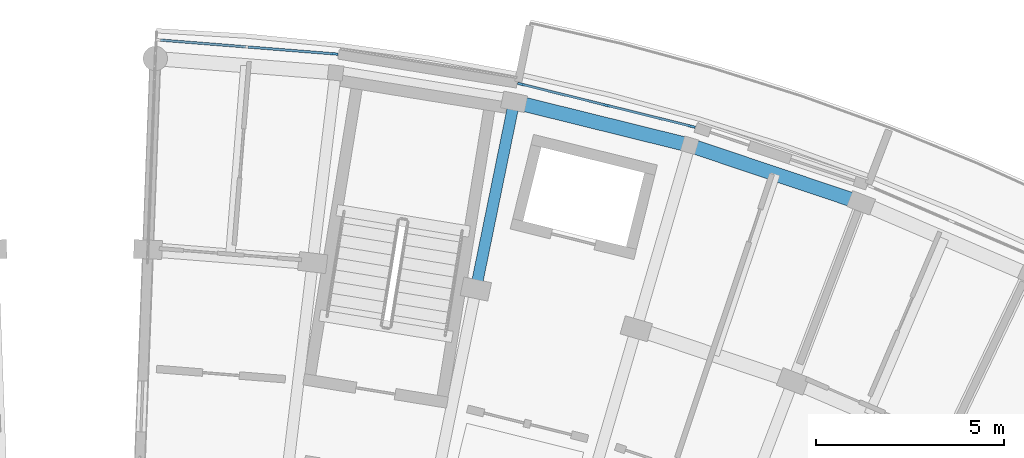
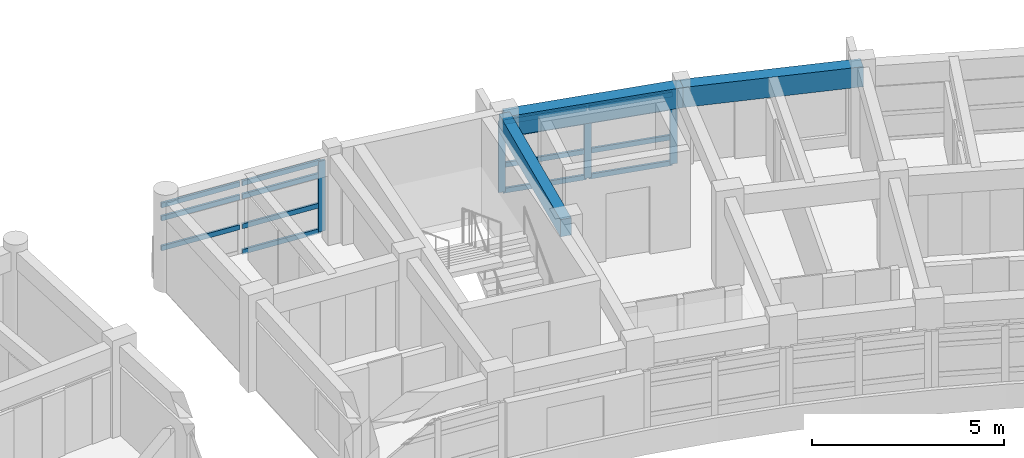
# One storey, part 14 of 40: 19 members, 3 beams, 2 elements without a shape of their own.
"""IFC4 building model written with IfcOpenShell, lengths in metres."""

from ifc_helpers import new_model, si_unit, direction, frame, origin, origin_2d, place, context, subcontext, project, spatial, rectangle, extrude, material, material_profile, profile_set, type_object, element, aggregate, save


model = new_model("IFC4")

# Units and contexts
model_context = context("Model", 3, precision=1e-05, world=origin(), true_north=direction((0.0, 1.0)))
body_context = subcontext(model_context, "Body", "Model", "MODEL_VIEW")
ifc_project = project(units=[si_unit("LENGTHUNIT", "METRE"), si_unit("AREAUNIT", "SQUARE_METRE"), si_unit("VOLUMEUNIT", "CUBIC_METRE"), si_unit("PLANEANGLEUNIT", "RADIAN"), si_unit("MASSUNIT", "GRAM", prefix="KILO")], contexts=[model_context])

# Site, building, storey
site_placement = place(None, origin())
site = spatial("IfcSite", under=ifc_project, at=site_placement, CompositionType="ELEMENT")
building_placement = place(site_placement, origin())
building = spatial("IfcBuilding", under=site, at=building_placement, Name="Zimvara Arc Housing Community", CompositionType="ELEMENT")
storey_placement = place(building_placement, frame((0.0, 0.0, 32.89990234375)))
storey = spatial("IfcBuildingStorey", under=building, at=storey_placement, Name="L10", CompositionType="ELEMENT", Elevation=32.89990234375)

# Beams
ifc_material_1 = material(Name="Concrete C40/50", Category="concrete")
ifc_material_profile_1 = material_profile(ifc_material_1, rectangle(XDim=0.300048828125, YDim=0.550048828125, at=origin_2d()), Name="RC 300x550")
ifc_profile_set_1 = profile_set([ifc_material_profile_1], Name="Concrete C40/50")
beam_type_1 = type_object("IfcBeamType", Name="BM-RC-300x550", PredefinedType="BEAM", material=ifc_profile_set_1)
beam_1_placement = place(storey_placement, frame((55.78125, 97.208740234375, 2.585205078125), z_axis=(0.200411962389, 0.97971171542, 0.0), x_axis=(-0.97971171542, 0.200411962389, 0.0)))
element("IfcBeam", 1, at=beam_1_placement, inside=storey, type_object=beam_type_1, Name="bm:blkB:L10:rad:b2:r23", PredefinedType="BEAM", context=body_context, shape_type="SweptSolid", body=[
    extrude(rectangle(XDim=0.300048828125, YDim=0.550048828125, at=origin_2d()), origin(), (0.0, 0.0, 1.0), 5.079833984375),
])
ifc_material_2 = material(Name="Concrete C40/50", Category="concrete")
ifc_material_profile_2 = material_profile(ifc_material_2, rectangle(XDim=0.3798828125, YDim=0.639892578125, at=origin_2d()), Name="RC 380x640")
ifc_profile_set_2 = profile_set([ifc_material_profile_2], Name="Concrete C40/50")
beam_type_2 = type_object("IfcBeamType", Name="BM-RC-380x640", PredefinedType="BEAM", material=ifc_profile_set_2)
beam_2_placement = place(storey_placement, frame((56.79931640625, 102.185546875, 2.5400390625), z_axis=(0.970716235341, -0.240229037474, 0.0), x_axis=(0.240229037474, 0.970716235341, 0.0)))
element("IfcBeam", 2, at=beam_2_placement, inside=storey, type_object=beam_type_2, Name="bm:blkB:L10:chord:r3:b2", PredefinedType="BEAM", context=body_context, shape_type="SweptSolid", body=[
    extrude(rectangle(XDim=0.3798828125, YDim=0.639892578125, at=origin_2d()), origin(), (0.0, 0.0, 1.0), 4.80810546875),
])
beam_3_placement = place(storey_placement, frame((61.466552734375, 101.030517578125, 2.5400390625), z_axis=(0.947877948153, -0.31863363822, 0.0), x_axis=(0.31863363822, 0.947877948153, 0.0)))
element("IfcBeam", 3, at=beam_3_placement, inside=storey, type_object=beam_type_2, Name="bm:blkB:L10:chord:r3:b3", PredefinedType="BEAM", context=body_context, shape_type="SweptSolid", body=[
    extrude(rectangle(XDim=0.3798828125, YDim=0.639892578125, at=origin_2d()), origin(), (0.0, 0.0, 1.0), 4.807861328125),
])

# Curtain wall, member
ifc_material_3 = material(Name="Anodised Aluminium AW-6063", Category="aluminium")
curtain_wall_type_1 = type_object("IfcCurtainWallType", Name="CW-SYS-07", PredefinedType="USERDEFINED", material=ifc_material_3)
curtain_wall_1_placement = place(storey_placement, origin())
curtain_wall_1 = element("IfcCurtainWall", 4, at=curtain_wall_1_placement, inside=storey, type_object=curtain_wall_type_1, Name="cw:blkB:L10:out:b0", ObjectType="CURTAIN WALL", PredefinedType="USERDEFINED")
ifc_material_4 = material(Name="Anodised Aluminium AW-6063", Category="aluminium")
ifc_material_profile_3 = material_profile(ifc_material_4, rectangle(XDim=0.06494140625, YDim=0.195068359375, at=origin_2d()), Name="ALU 65x195")
ifc_profile_set_3 = profile_set([ifc_material_profile_3], Name="Anodised Aluminium AW-6063")
member_type_1 = type_object("IfcMemberType", Name="CWM-65x180", PredefinedType="MULLION", material=ifc_profile_set_3)
member_1_placement = place(storey_placement, frame((52.02099609375, 103.459716796875, 0.0), z_axis=(0.0, 0.0, 1.0), x_axis=(0.079153759607, 0.996862418963, 0.0)))
member_1 = element("IfcMember", 5, at=member_1_placement, type_object=member_type_1, Name="CW07 mullion 3", PredefinedType="MULLION", context=body_context, shape_type="SweptSolid", body=[
    extrude(rectangle(XDim=0.06494140625, YDim=0.195068359375, at=origin_2d()), origin(), (0.0, 0.0, 1.0), 2.25),
])

# Curtain wall, members
ifc_material_5 = material(Name="Anodised Aluminium AW-6063", Category="aluminium")
curtain_wall_type_2 = type_object("IfcCurtainWallType", Name="CW-SYS-01", PredefinedType="USERDEFINED", material=ifc_material_5)
curtain_wall_2_placement = place(storey_placement, origin())
curtain_wall_2 = element("IfcCurtainWall", 6, at=curtain_wall_2_placement, inside=storey, type_object=curtain_wall_type_2, Name="cw:blkB:L10:out:b2", ObjectType="CURTAIN WALL", PredefinedType="USERDEFINED")
member_2_placement = place(storey_placement, frame((56.9892578125, 102.6533203125, 0.0), z_axis=(0.0, 0.0, 1.0), x_axis=(0.240229711131, 0.970716068627, 0.0)))
member_2 = element("IfcMember", 7, at=member_2_placement, type_object=member_type_1, Name="CW01 mullion 1", PredefinedType="MULLION", context=body_context, shape_type="SweptSolid", body=[
    extrude(rectangle(XDim=0.06494140625, YDim=0.195068359375, at=origin_2d()), origin(), (0.0, 0.0, 1.0), 2.25),
])
member_3_placement = place(storey_placement, frame((59.2529296875, 102.093017578125, 0.0), z_axis=(0.0, 0.0, 1.0), x_axis=(0.240229711131, 0.970716068627, 0.0)))
member_3 = element("IfcMember", 8, at=member_3_placement, type_object=member_type_1, Name="CW01 mullion 2", PredefinedType="MULLION", context=body_context, shape_type="SweptSolid", body=[
    extrude(rectangle(XDim=0.06494140625, YDim=0.195068359375, at=origin_2d()), origin(), (0.0, 0.0, 1.0), 2.25),
])
member_4_placement = place(storey_placement, frame((61.5166015625, 101.532958984375, 0.0), z_axis=(0.0, 0.0, 1.0), x_axis=(0.240229711131, 0.970716068627, 0.0)))
member_4 = element("IfcMember", 9, at=member_4_placement, type_object=member_type_1, Name="CW01 mullion 3", PredefinedType="MULLION", context=body_context, shape_type="SweptSolid", body=[
    extrude(rectangle(XDim=0.06494140625, YDim=0.195068359375, at=origin_2d()), origin(), (0.0, 0.0, 1.0), 2.25),
])

# Member
ifc_material_6 = material(Name="Anodised Aluminium AW-6063", Category="aluminium")
ifc_material_profile_4 = material_profile(ifc_material_6, rectangle(XDim=0.06494140625, YDim=0.155029296875, at=origin_2d()), Name="ALU 65x155")
ifc_profile_set_4 = profile_set([ifc_material_profile_4], Name="Anodised Aluminium AW-6063")
member_type_2 = type_object("IfcMemberType", Name="CWT-65x140", PredefinedType="USERDEFINED", material=ifc_profile_set_4)
member_5_placement = place(storey_placement, frame((47.404052734375, 103.826416015625, 0.85009765625), z_axis=(0.996862021022, -0.079158771116, 0.0), x_axis=(0.079158771116, 0.996862021022, 0.0)))
member_5 = element("IfcMember", 10, at=member_5_placement, type_object=member_type_2, Name="CW07 transom 1.2", ObjectType="TRANSOM", PredefinedType="USERDEFINED", context=body_context, shape_type="SweptSolid", body=[
    extrude(rectangle(XDim=0.06494140625, YDim=0.155029296875, at=origin_2d()), origin(), (0.0, 0.0, 1.0), 2.266845703125),
])

member_6_placement = place(storey_placement, frame((47.404052734375, 103.826416015625, 1.800048828125), z_axis=(0.996862021022, -0.079158771116, 0.0), x_axis=(0.079158771116, 0.996862021022, 0.0)))
member_6 = element("IfcMember", 11, at=member_6_placement, type_object=member_type_2, Name="CW07 transom 1.3", ObjectType="TRANSOM", PredefinedType="USERDEFINED", context=body_context, shape_type="SweptSolid", body=[
    extrude(rectangle(XDim=0.06494140625, YDim=0.155029296875, at=origin_2d()), origin(), (0.0, 0.0, 1.0), 2.266845703125),
])

member_7_placement = place(storey_placement, frame((47.404052734375, 103.826416015625, 2.217529296875), z_axis=(0.996862021022, -0.079158771116, 0.0), x_axis=(0.079158771116, 0.996862021022, 0.0)))
member_7 = element("IfcMember", 12, at=member_7_placement, type_object=member_type_2, Name="CW07 transom 1.4", ObjectType="TRANSOM", PredefinedType="USERDEFINED", context=body_context, shape_type="SweptSolid", body=[
    extrude(rectangle(XDim=0.06494140625, YDim=0.155029296875, at=origin_2d()), origin(), (0.0, 0.0, 1.0), 2.266845703125),
])

member_8_placement = place(storey_placement, frame((49.728759765625, 103.641845703125, 0.03271484375), z_axis=(0.996862021022, -0.079158771116, 0.0), x_axis=(0.079158771116, 0.996862021022, 0.0)))
member_8 = element("IfcMember", 13, at=member_8_placement, type_object=member_type_2, Name="CW07 transom 2.1", ObjectType="TRANSOM", PredefinedType="USERDEFINED", context=body_context, shape_type="SweptSolid", body=[
    extrude(rectangle(XDim=0.06494140625, YDim=0.155029296875, at=origin_2d()), origin(), (0.0, 0.0, 1.0), 2.266845703125),
])

member_9_placement = place(storey_placement, frame((49.728759765625, 103.641845703125, 0.85009765625), z_axis=(0.996862021022, -0.079158771116, 0.0), x_axis=(0.079158771116, 0.996862021022, 0.0)))
member_9 = element("IfcMember", 14, at=member_9_placement, type_object=member_type_2, Name="CW07 transom 2.2", ObjectType="TRANSOM", PredefinedType="USERDEFINED", context=body_context, shape_type="SweptSolid", body=[
    extrude(rectangle(XDim=0.06494140625, YDim=0.155029296875, at=origin_2d()), origin(), (0.0, 0.0, 1.0), 2.266845703125),
])

member_10_placement = place(storey_placement, frame((49.728759765625, 103.641845703125, 1.800048828125), z_axis=(0.996862021022, -0.079158771116, 0.0), x_axis=(0.079158771116, 0.996862021022, 0.0)))
member_10 = element("IfcMember", 15, at=member_10_placement, type_object=member_type_2, Name="CW07 transom 2.3", ObjectType="TRANSOM", PredefinedType="USERDEFINED", context=body_context, shape_type="SweptSolid", body=[
    extrude(rectangle(XDim=0.06494140625, YDim=0.155029296875, at=origin_2d()), origin(), (0.0, 0.0, 1.0), 2.266845703125),
])

member_11_placement = place(storey_placement, frame((49.728759765625, 103.641845703125, 2.217529296875), z_axis=(0.996862021022, -0.079158771116, 0.0), x_axis=(0.079158771116, 0.996862021022, 0.0)))
member_11 = element("IfcMember", 16, at=member_11_placement, type_object=member_type_2, Name="CW07 transom 2.4", ObjectType="TRANSOM", PredefinedType="USERDEFINED", context=body_context, shape_type="SweptSolid", body=[
    extrude(rectangle(XDim=0.06494140625, YDim=0.155029296875, at=origin_2d()), origin(), (0.0, 0.0, 1.0), 2.266845703125),
])

aggregate(curtain_wall_1, [member_1, member_5, member_6, member_7, member_8, member_9, member_10, member_11])

member_12_placement = place(storey_placement, frame((57.020751953125, 102.6455078125, 0.03271484375), z_axis=(0.970703721793, -0.240279596507, 0.0), x_axis=(0.240279596507, 0.970703721793, 0.0)))
member_12 = element("IfcMember", 17, at=member_12_placement, type_object=member_type_2, Name="CW01 transom 1.1", ObjectType="TRANSOM", PredefinedType="USERDEFINED", context=body_context, shape_type="SweptSolid", body=[
    extrude(rectangle(XDim=0.06494140625, YDim=0.155029296875, at=origin_2d()), origin(), (0.0, 0.0, 1.0), 2.266845703125),
])

member_13_placement = place(storey_placement, frame((57.020751953125, 102.6455078125, 0.85009765625), z_axis=(0.970703721793, -0.240279596507, 0.0), x_axis=(0.240279596507, 0.970703721793, 0.0)))
member_13 = element("IfcMember", 18, at=member_13_placement, type_object=member_type_2, Name="CW01 transom 1.2", ObjectType="TRANSOM", PredefinedType="USERDEFINED", context=body_context, shape_type="SweptSolid", body=[
    extrude(rectangle(XDim=0.06494140625, YDim=0.155029296875, at=origin_2d()), origin(), (0.0, 0.0, 1.0), 2.266845703125),
])

member_14_placement = place(storey_placement, frame((57.020751953125, 102.6455078125, 1.800048828125), z_axis=(0.970703721793, -0.240279596507, 0.0), x_axis=(0.240279596507, 0.970703721793, 0.0)))
member_14 = element("IfcMember", 19, at=member_14_placement, type_object=member_type_2, Name="CW01 transom 1.3", ObjectType="TRANSOM", PredefinedType="USERDEFINED", context=body_context, shape_type="SweptSolid", body=[
    extrude(rectangle(XDim=0.06494140625, YDim=0.155029296875, at=origin_2d()), origin(), (0.0, 0.0, 1.0), 2.266845703125),
])

member_15_placement = place(storey_placement, frame((57.020751953125, 102.6455078125, 2.217529296875), z_axis=(0.970703721793, -0.240279596507, 0.0), x_axis=(0.240279596507, 0.970703721793, 0.0)))
member_15 = element("IfcMember", 20, at=member_15_placement, type_object=member_type_2, Name="CW01 transom 1.4", ObjectType="TRANSOM", PredefinedType="USERDEFINED", context=body_context, shape_type="SweptSolid", body=[
    extrude(rectangle(XDim=0.06494140625, YDim=0.155029296875, at=origin_2d()), origin(), (0.0, 0.0, 1.0), 2.266845703125),
])

member_16_placement = place(storey_placement, frame((59.284423828125, 102.085205078125, 0.03271484375), z_axis=(0.970728837212, -0.240178110172, 0.0), x_axis=(0.240178110172, 0.970728837212, 0.0)))
member_16 = element("IfcMember", 21, at=member_16_placement, type_object=member_type_2, Name="CW01 transom 2.1", ObjectType="TRANSOM", PredefinedType="USERDEFINED", context=body_context, shape_type="SweptSolid", body=[
    extrude(rectangle(XDim=0.06494140625, YDim=0.155029296875, at=origin_2d()), origin(), (0.0, 0.0, 1.0), 2.266845703125),
])

member_17_placement = place(storey_placement, frame((59.284423828125, 102.085205078125, 0.85009765625), z_axis=(0.970728837212, -0.240178110172, 0.0), x_axis=(0.240178110172, 0.970728837212, 0.0)))
member_17 = element("IfcMember", 22, at=member_17_placement, type_object=member_type_2, Name="CW01 transom 2.2", ObjectType="TRANSOM", PredefinedType="USERDEFINED", context=body_context, shape_type="SweptSolid", body=[
    extrude(rectangle(XDim=0.06494140625, YDim=0.155029296875, at=origin_2d()), origin(), (0.0, 0.0, 1.0), 2.266845703125),
])

member_18_placement = place(storey_placement, frame((59.284423828125, 102.085205078125, 1.800048828125), z_axis=(0.970728837212, -0.240178110172, 0.0), x_axis=(0.240178110172, 0.970728837212, 0.0)))
member_18 = element("IfcMember", 23, at=member_18_placement, type_object=member_type_2, Name="CW01 transom 2.3", ObjectType="TRANSOM", PredefinedType="USERDEFINED", context=body_context, shape_type="SweptSolid", body=[
    extrude(rectangle(XDim=0.06494140625, YDim=0.155029296875, at=origin_2d()), origin(), (0.0, 0.0, 1.0), 2.266845703125),
])

member_19_placement = place(storey_placement, frame((59.284423828125, 102.085205078125, 2.217529296875), z_axis=(0.970728837212, -0.240178110172, 0.0), x_axis=(0.240178110172, 0.970728837212, 0.0)))
member_19 = element("IfcMember", 24, at=member_19_placement, type_object=member_type_2, Name="CW01 transom 2.4", ObjectType="TRANSOM", PredefinedType="USERDEFINED", context=body_context, shape_type="SweptSolid", body=[
    extrude(rectangle(XDim=0.06494140625, YDim=0.155029296875, at=origin_2d()), origin(), (0.0, 0.0, 1.0), 2.266845703125),
])

aggregate(curtain_wall_2, [member_2, member_3, member_4, member_12, member_13, member_14, member_15, member_16, member_17, member_18, member_19])

save(model, "model.ifc")
